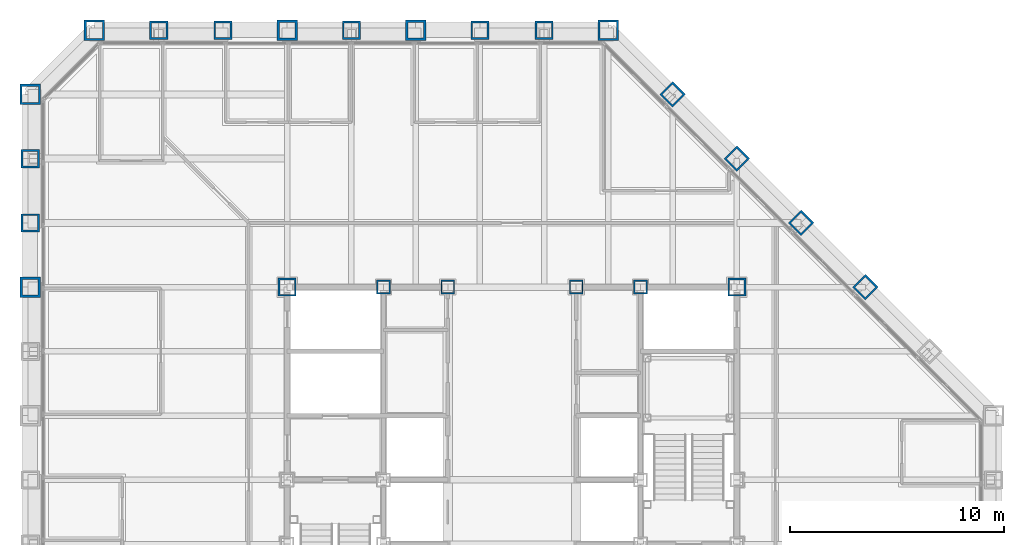
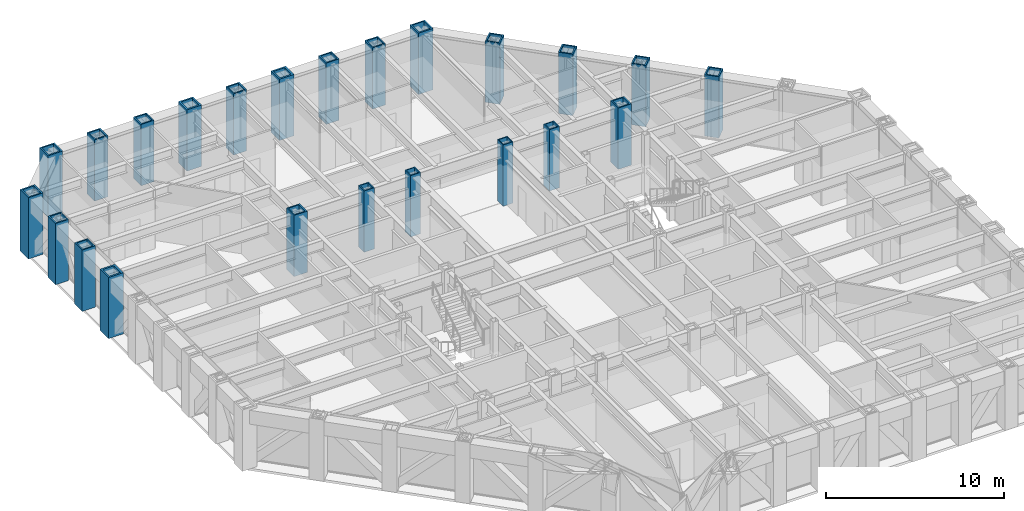
# One storey, part 3 of 17: 23 columns.
"""IFC4 building model written with IfcOpenShell, lengths in metres."""

from ifc_helpers import new_model, si_unit, direction, frame, origin, origin_2d, place, context, subcontext, project, spatial, hollow_rectangle, extrude, material, material_profile, profile_set, type_object, element, save


model = new_model("IFC4")

# Units and contexts
model_context = context("Model", 3, precision=1e-05, world=origin(), true_north=direction((0.0, 1.0)))
body_context = subcontext(model_context, "Body", "Model", "MODEL_VIEW")
ifc_project = project(units=[si_unit("LENGTHUNIT", "METRE"), si_unit("AREAUNIT", "SQUARE_METRE"), si_unit("VOLUMEUNIT", "CUBIC_METRE"), si_unit("PLANEANGLEUNIT", "RADIAN"), si_unit("MASSUNIT", "GRAM", prefix="KILO")], contexts=[model_context])

# Site, building, storey
site_placement = place(None, origin())
site = spatial("IfcSite", under=ifc_project, at=site_placement, CompositionType="ELEMENT")
building_placement = place(site_placement, origin())
building = spatial("IfcBuilding", under=site, at=building_placement, Name="Chuquiago Exchange Tower", CompositionType="ELEMENT")
storey_placement = place(building_placement, frame((0.0, 0.0, 165.60009765625)))
storey = spatial("IfcBuildingStorey", under=building, at=storey_placement, Name="L36", CompositionType="ELEMENT", Elevation=165.60009765625)

# Columns
ifc_material_1 = material(Name="Steel ASTM A572 Grade 50", Category="steel")
ifc_material_profile_1 = material_profile(ifc_material_1, hollow_rectangle(XDim=0.85009765625, YDim=0.85009765625, WallThickness=0.0849609375, at=origin_2d()), Name="BOX850X850X85")
ifc_profile_set_1 = profile_set([ifc_material_profile_1], Name="Steel ASTM A572 Grade 50")
column_type_1 = type_object("IfcColumnType", Name="C6 BOX850X850X85", PredefinedType="COLUMN", material=ifc_profile_set_1)
for number, where, z_axis, x_axis, name in (
    (1, (39.0, 33.0, 0.0), (0.0, 0.0, 1.0), (0.707106781187, 0.707106781187, 0.0), "COL-L36-39_33"),
    (2, (36.0, 36.0, 0.0), (0.0, 0.0, 1.0), (0.707106781187, 0.707106781187, 0.0), "COL-L36-36_36"),
    (3, (33.0, 39.0, 0.0), (0.0, 0.0, 1.0), (0.707106781187, 0.707106781187, 0.0), "COL-L36-33_39"),
    (4, (30.0, 42.0, 0.0), (0.0, 0.0, 1.0), (0.707106781187, 0.707106781187, 0.0), "COL-L36-30_42"),
    (5, (24.0, 45.0, 0.0), (0.0, 0.0, 1.0), (0.0, 1.0, 0.0), "COL-L36-24_45"),
    (6, (21.0, 45.0, 0.0), (0.0, 0.0, 1.0), (0.0, 1.0, 0.0), "COL-L36-21_45"),
    (7, (15.0, 45.0, 0.0), (0.0, 0.0, 1.0), (0.0, 1.0, 0.0), "COL-L36-15_45"),
    (8, (9.0, 45.0, 0.0), (0.0, 0.0, 1.0), (0.0, 1.0, 0.0), "COL-L36-9_45"),
    (9, (6.0, 45.0, 0.0), (0.0, 0.0, 1.0), (0.0, 1.0, 0.0), "COL-L36-6_45"),
    (10, (0.0, 39.0, 0.0), (0.0, 0.0, 1.0), (-1.0, 0.0, 0.0), "COL-L36-0_39"),
    (11, (0.0, 36.0, 0.0), (0.0, 0.0, 1.0), (-1.0, 0.0, 0.0), "COL-L36-0_36"),
):
    element("IfcColumn", number, at=place(storey_placement, frame(where, z_axis=z_axis, x_axis=x_axis)), inside=storey, type_object=column_type_1, Name=name, PredefinedType="COLUMN", context=body_context, shape_type="SweptSolid", body=[
        extrude(hollow_rectangle(XDim=0.85009765625, YDim=0.85009765625, WallThickness=0.0849609375, at=origin_2d()), origin(), (0.0, 0.0, 1.0), 4.199951171875),
    ])
ifc_material_2 = material(Name="Steel ASTM A572 Grade 50", Category="steel")
ifc_material_profile_2 = material_profile(ifc_material_2, hollow_rectangle(XDim=0.85009765625, YDim=0.85009765625, WallThickness=0.0849609375, at=origin_2d()), Name="BOX850X850X85")
ifc_profile_set_2 = profile_set([ifc_material_profile_2], Name="Steel ASTM A572 Grade 50")
column_type_2 = type_object("IfcColumnType", Name="CC6 BOX850X850X85", PredefinedType="COLUMN", material=ifc_profile_set_2)
for number, where, z_axis, x_axis, name in (
    (12, (12.0, 33.0, 0.0), (0.0, 0.0, 1.0), (1.0, 0.0, 0.0), "CCOL-L36-12_33"),
    (13, (33.0, 33.0, 0.0), (0.0, 0.0, 1.0), (1.0, 0.0, 0.0), "CCOL-L36-33_33"),
):
    element("IfcColumn", number, at=place(storey_placement, frame(where, z_axis=z_axis, x_axis=x_axis)), inside=storey, type_object=column_type_2, Name=name, PredefinedType="COLUMN", context=body_context, shape_type="SweptSolid", body=[
        extrude(hollow_rectangle(XDim=0.85009765625, YDim=0.85009765625, WallThickness=0.0849609375, at=origin_2d()), origin(), (0.0, 0.0, 1.0), 4.199951171875),
    ])
ifc_material_3 = material(Name="Steel ASTM A572 Grade 50", Category="steel")
ifc_material_profile_3 = material_profile(ifc_material_3, hollow_rectangle(XDim=0.64990234375, YDim=0.64990234375, WallThickness=0.06494140625, at=origin_2d()), Name="BOX650X650X65")
ifc_profile_set_3 = profile_set([ifc_material_profile_3], Name="Steel ASTM A572 Grade 50")
column_type_3 = type_object("IfcColumnType", Name="CC7 BOX650X650X65", PredefinedType="COLUMN", material=ifc_profile_set_3)
for number, where, z_axis, x_axis, name in (
    (14, (16.5, 33.0, 0.0), (0.0, 0.0, 1.0), (1.0, 0.0, 0.0), "CCOL-L36-16.5_33"),
    (15, (19.5, 33.0, 0.0), (0.0, 0.0, 1.0), (1.0, 0.0, 0.0), "CCOL-L36-19.5_33"),
    (16, (25.5, 33.0, 0.0), (0.0, 0.0, 1.0), (1.0, 0.0, 0.0), "CCOL-L36-25.5_33"),
    (17, (28.5, 33.0, 0.0), (0.0, 0.0, 1.0), (1.0, 0.0, 0.0), "CCOL-L36-28.5_33"),
):
    element("IfcColumn", number, at=place(storey_placement, frame(where, z_axis=z_axis, x_axis=x_axis)), inside=storey, type_object=column_type_3, Name=name, PredefinedType="COLUMN", context=body_context, shape_type="SweptSolid", body=[
        extrude(hollow_rectangle(XDim=0.64990234375, YDim=0.64990234375, WallThickness=0.06494140625, at=origin_2d()), origin(), (0.0, 0.0, 1.0), 4.199951171875),
    ])
ifc_material_4 = material(Name="Steel ASTM A572 Grade 50", Category="steel")
ifc_material_profile_4 = material_profile(ifc_material_4, hollow_rectangle(XDim=0.949951171875, YDim=0.949951171875, WallThickness=0.094970703125, at=origin_2d()), Name="BOX950X950X95")
ifc_profile_set_4 = profile_set([ifc_material_profile_4], Name="Steel ASTM A572 Grade 50")
column_type_4 = type_object("IfcColumnType", Name="CN1 BOX950X950X95", PredefinedType="COLUMN", material=ifc_profile_set_4)
for number, where, z_axis, x_axis, name in (
    (18, (27.0, 45.0, 0.0), (0.0, 0.0, 1.0), (0.0, 1.0, 0.0), "COL-L36-27_45"),
    (19, (3.0, 45.0, 0.0), (0.0, 0.0, 1.0), (0.0, 1.0, 0.0), "COL-L36-3_45"),
    (20, (0.0, 42.0, 0.0), (0.0, 0.0, 1.0), (-1.0, 0.0, 0.0), "COL-L36-0_42"),
):
    element("IfcColumn", number, at=place(storey_placement, frame(where, z_axis=z_axis, x_axis=x_axis)), inside=storey, type_object=column_type_4, Name=name, PredefinedType="COLUMN", context=body_context, shape_type="SweptSolid", body=[
        extrude(hollow_rectangle(XDim=0.949951171875, YDim=0.949951171875, WallThickness=0.094970703125, at=origin_2d()), origin(), (0.0, 0.0, 1.0), 4.199951171875),
    ])
ifc_material_5 = material(Name="Steel ASTM A572 Grade 42", Category="steel")
ifc_material_profile_5 = material_profile(ifc_material_5, hollow_rectangle(XDim=0.949951171875, YDim=0.949951171875, WallThickness=0.110107421875, at=origin_2d()), Name="BOX950X950X110")
ifc_profile_set_5 = profile_set([ifc_material_profile_5], Name="Steel ASTM A572 Grade 42")
column_type_5 = type_object("IfcColumnType", Name="CT1 BOX950X950X110", PredefinedType="COLUMN", material=ifc_profile_set_5)
for number, where, z_axis, x_axis, name in (
    (21, (18.0, 45.0, 0.0), (0.0, 0.0, 1.0), (0.0, 1.0, 0.0), "COL-L36-18_45"),
    (22, (12.0, 45.0, 0.0), (0.0, 0.0, 1.0), (0.0, 1.0, 0.0), "COL-L36-12_45"),
    (23, (0.0, 33.0, 0.0), (0.0, 0.0, 1.0), (-1.0, 0.0, 0.0), "COL-L36-0_33"),
):
    element("IfcColumn", number, at=place(storey_placement, frame(where, z_axis=z_axis, x_axis=x_axis)), inside=storey, type_object=column_type_5, Name=name, PredefinedType="COLUMN", context=body_context, shape_type="SweptSolid", body=[
        extrude(hollow_rectangle(XDim=0.949951171875, YDim=0.949951171875, WallThickness=0.110107421875, at=origin_2d()), origin(), (0.0, 0.0, 1.0), 4.199951171875),
    ])

save(model, "model.ifc")
